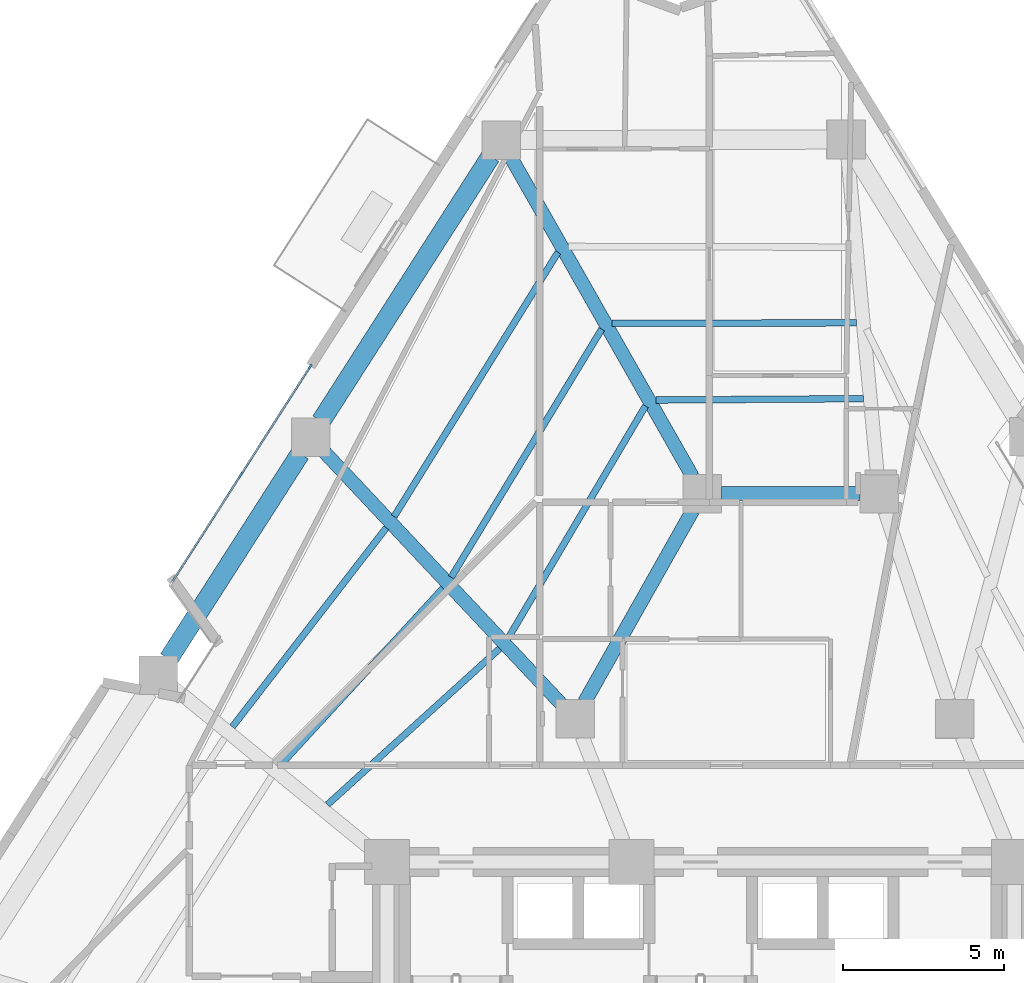
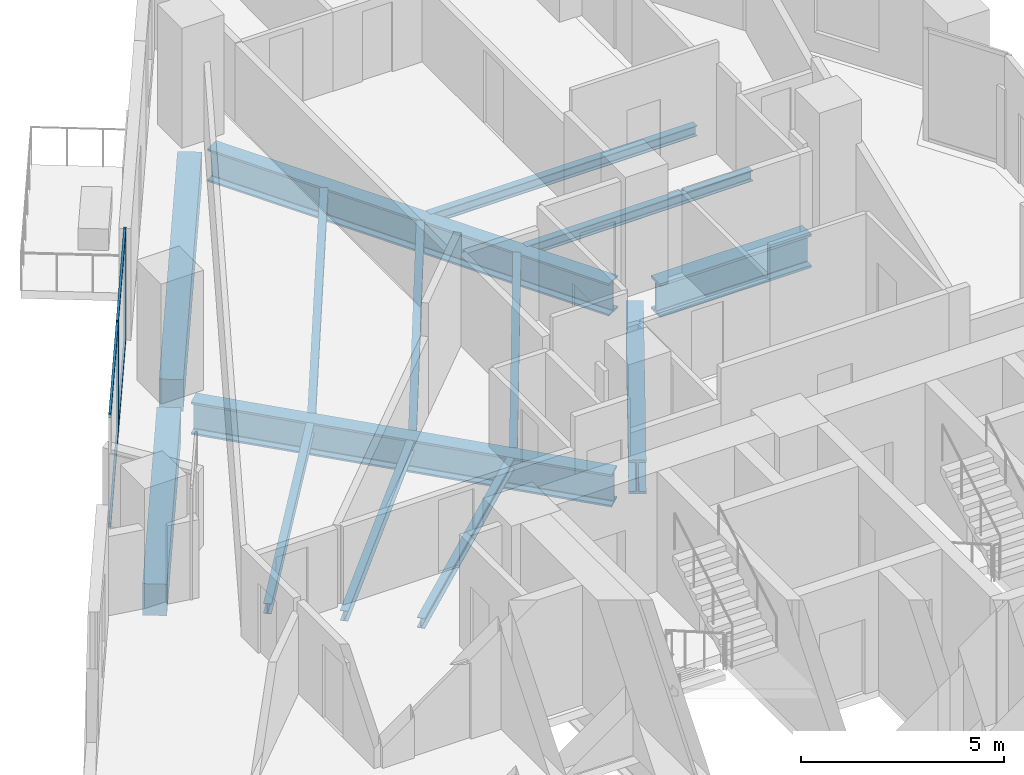
# One storey, part 3 of 13: 14 beams, 6 members, 1 element without a shape of its own.
"""IFC4 building model written with IfcOpenShell, lengths in metres."""

import ifcopenshell
import ifcopenshell.guid

model = None  # the IFC model being written
_history = None  # IfcOwnerHistory: only IFC2X3 demands one
_inside = {}  # id of a spatial element -> (the spatial element, [elements in it])
_under = {}  # id of a project, library or spatial element -> (it, [spatial elements below it])
_declared = {}  # id of a project -> (the project, [libraries it declares])
_typed = {}  # id of a type object -> (the type object, [elements of that type])
_made_of = {}  # id of a material, layer set ... -> (it, [elements and type objects made of it])


def new_model(schema):
    """Start an empty IFC model of exactly this schema.

    Asked for "IFC4X3", IfcOpenShell would pick the latest addendum, in which some entities
    have other attributes; the version numbers below select the first issue.
    IFC2X3 requires an IfcOwnerHistory on every rooted entity: one is made here for all.
    """
    global model, _history
    if schema == "IFC4X3":
        model = ifcopenshell.file(schema_version=(4, 3, 0, 0))
    else:
        model = ifcopenshell.file(schema=schema)
    _inside.clear()
    _under.clear()
    _declared.clear()
    _typed.clear()
    _made_of.clear()
    _history = None
    if model.schema == "IFC2X3":
        org = make("IfcOrganization", Name="unknown")
        user = make(
            "IfcPersonAndOrganization",
            ThePerson=make("IfcPerson", FamilyName="unknown"),
            TheOrganization=org,
        )
        app = make(
            "IfcApplication",
            ApplicationDeveloper=org,
            Version="unknown",
            ApplicationFullName="unknown",
            ApplicationIdentifier="unknown",
        )
        _history = make(
            "IfcOwnerHistory",
            OwningUser=user,
            OwningApplication=app,
            ChangeAction="ADDED",
            CreationDate=0,
        )
    return model


def make(cls, **values):
    """One entity of the class cls with the attributes given. An attribute that is None is left unset."""
    return model.create_entity(
        cls, **{name: value for name, value in values.items() if value is not None}
    )


def rooted(cls, **values):
    """An entity with a GlobalId (a new one), such as an element, a storey or a relation."""
    return make(cls, GlobalId=ifcopenshell.guid.new(), OwnerHistory=_history, **values)


def si_unit(unit_type, name, prefix=None):
    """IfcSIUnit, for example si_unit("LENGTHUNIT", "METRE", prefix="MILLI")."""
    return make("IfcSIUnit", UnitType=unit_type, Prefix=prefix, Name=name)


def assignment(units):
    """IfcUnitAssignment: the units of a project."""
    return None if units is None else make("IfcUnitAssignment", Units=units)


def point(xyz):
    """IfcCartesianPoint."""
    return None if xyz is None else make("IfcCartesianPoint", Coordinates=xyz)


def direction(xyz):
    """IfcDirection."""
    return None if xyz is None else make("IfcDirection", DirectionRatios=xyz)


def frame(location, z_axis=None, x_axis=None):
    """IfcAxis2Placement3D, a coordinate frame: its origin and axes. An axis left out is left unset."""
    return make(
        "IfcAxis2Placement3D",
        Location=point(location),
        Axis=direction(z_axis),
        RefDirection=direction(x_axis),
    )


def frame_2d(location, x_axis=None):
    """IfcAxis2Placement2D, a coordinate frame in the plane: its origin and x axis."""
    return make(
        "IfcAxis2Placement2D", Location=point(location), RefDirection=direction(x_axis)
    )


def origin():
    """The frame at (0, 0, 0) with its axes left unset."""
    return frame((0.0, 0.0, 0.0))


def origin_2d():
    """The frame at (0, 0) in the plane with its x axis left unset."""
    return frame_2d((0.0, 0.0))


def place(relative_to, where):
    """IfcLocalPlacement: puts the frame where relative to a parent placement (None: the world)."""
    return make(
        "IfcLocalPlacement", PlacementRelTo=relative_to, RelativePlacement=where
    )


def context(
    kind, dimensions, precision=None, world=None, true_north=None, identifier=None
):
    """IfcGeometricRepresentationContext, for example the 3D "Model" context."""
    return make(
        "IfcGeometricRepresentationContext",
        ContextIdentifier=identifier,
        ContextType=kind,
        CoordinateSpaceDimension=dimensions,
        Precision=precision,
        WorldCoordinateSystem=world,
        TrueNorth=true_north,
    )


def subcontext(parent, identifier, kind, view, scale=None):
    """IfcGeometricRepresentationSubContext, for example "Body" below "Model"."""
    return make(
        "IfcGeometricRepresentationSubContext",
        ContextIdentifier=identifier,
        ContextType=kind,
        ParentContext=parent,
        TargetScale=scale,
        TargetView=view,
    )


def project(units=None, contexts=None):
    """IfcProject with its units and contexts."""
    return rooted(
        "IfcProject",
        Name="project",
        RepresentationContexts=contexts,
        UnitsInContext=assignment(units),
    )


def spatial(cls, under=None, at=None, **own):
    """A site, building, storey or space (cls), placed at a placement, below another one or the project."""
    s = rooted(cls, ObjectPlacement=at, **own)
    if under is not None:
        _under.setdefault(under.id(), (under, []))[1].append(s)
    return s


def profile(cls, at=None, kind="AREA", **sizes):
    """A parametric profile (cls). Its sizes go by their IFC names, for example OverallWidth=200.0."""
    return make(cls, ProfileType=kind, Position=at, **sizes)


def rectangle(**sizes):
    """IfcRectangleProfileDef."""
    return profile("IfcRectangleProfileDef", **sizes)


def i_section(**sizes):
    """IfcIShapeProfileDef."""
    return profile("IfcIShapeProfileDef", **sizes)


def extrude(swept, where, along, depth):
    """IfcExtrudedAreaSolid: the profile swept, set in the frame where, extruded along a direction by depth."""
    return make(
        "IfcExtrudedAreaSolid",
        SweptArea=swept,
        Position=where,
        ExtrudedDirection=direction(along),
        Depth=depth,
    )


def shape(context_of_items, identifier, shape_type, items):
    """IfcShapeRepresentation: the items that make up one representation, for example the "Body"."""
    return make(
        "IfcShapeRepresentation",
        ContextOfItems=context_of_items,
        RepresentationIdentifier=identifier,
        RepresentationType=shape_type,
        Items=items,
    )


def material(Name=None, Category=None):
    """IfcMaterial."""
    return make("IfcMaterial", Name=Name, Category=Category)


def layer(
    of_material, thickness, ventilated=None, Name=None, Category=None, Priority=None
):
    """IfcMaterialLayer: one layer of a wall or slab, of a material (None: an air gap)."""
    return make(
        "IfcMaterialLayer",
        Material=of_material,
        LayerThickness=thickness,
        IsVentilated=ventilated,
        Name=Name,
        Category=Category,
        Priority=Priority,
    )


def layer_set(layers, Name=None):
    """IfcMaterialLayerSet."""
    return make("IfcMaterialLayerSet", MaterialLayers=layers, LayerSetName=Name)


def material_profile(
    of_material, cross_section, Name=None, Category=None, Priority=None
):
    """IfcMaterialProfile: a cross section and its material."""
    return make(
        "IfcMaterialProfile",
        Name=Name,
        Material=of_material,
        Profile=cross_section,
        Priority=Priority,
        Category=Category,
    )


def profile_set(profiles, Name=None, composite=None):
    """IfcMaterialProfileSet."""
    return make(
        "IfcMaterialProfileSet",
        Name=Name,
        MaterialProfiles=profiles,
        CompositeProfile=composite,
    )


def made_of(thing, what):
    """Note that an element or type object is made of a material, layer set ...; save() writes the relation."""
    if what is not None:
        _made_of.setdefault(what.id(), (what, []))[1].append(thing)
    return thing


def type_object(cls, material=None, **own):
    """A type object (cls), such as IfcWallType, which elements share."""
    return made_of(rooted(cls, **own), material)


def element(
    cls,
    number,
    at=None,
    inside=None,
    cuts=None,
    type_object=None,
    material=None,
    context=None,
    identifier="Body",
    shape_type=None,
    held_by="IfcProductDefinitionShape",
    body=None,
    shapes=None,
    **own,
):
    """One element of the class cls, such as IfcWall. Its Tag is "e" and its number.

    at: its placement. inside: the storey or other place that contains it. cuts: it is an
    opening in that element (IfcRelVoidsElement). A single representation is given by context,
    identifier, shape_type and body (its items); several are given by shapes. held_by: the class
    of the entity that holds the representations. save() writes the other relations.
    """
    e = rooted(cls, Tag="e%d" % number, ObjectPlacement=at, **own)
    if body is not None:
        shapes = [shape(context, identifier, shape_type, body)]
    if shapes is not None:
        e.Representation = make(held_by, Representations=shapes)
    if inside is not None:
        _inside.setdefault(inside.id(), (inside, []))[1].append(e)
    if cuts is not None:
        rooted(
            "IfcRelVoidsElement", RelatingBuildingElement=cuts, RelatedOpeningElement=e
        )
    if type_object is not None:
        _typed.setdefault(type_object.id(), (type_object, []))[1].append(e)
    return made_of(e, material)


def aggregate(whole, parts):
    """IfcRelAggregates: a whole, such as a stair, and the parts it consists of."""
    return rooted("IfcRelAggregates", RelatingObject=whole, RelatedObjects=parts)


def save(model, path):
    """Write the relations noted so far, then the file.

    IfcRelAggregates (storeys below a building ...), IfcRelContainedInSpatialStructure (elements
    in a storey), IfcRelDefinesByType, IfcRelAssociatesMaterial and IfcRelDeclares: one each for
    every whole, place, type object, material and project.
    """
    for whole, parts in _under.values():
        aggregate(whole, parts)
    for where, things in _inside.values():
        rooted(
            "IfcRelContainedInSpatialStructure",
            RelatedElements=things,
            RelatingStructure=where,
        )
    for kind, things in _typed.values():
        rooted("IfcRelDefinesByType", RelatedObjects=things, RelatingType=kind)
    for what, things in _made_of.values():
        rooted("IfcRelAssociatesMaterial", RelatedObjects=things, RelatingMaterial=what)
    for by, libraries in _declared.values():
        rooted("IfcRelDeclares", RelatingContext=by, RelatedDefinitions=libraries)
    model.write(path)


model = new_model("IFC4")

# Units and contexts
model_context = context("Model", 3, precision=1e-05, world=origin(), true_north=direction((0.0, 1.0)))
body_context = subcontext(model_context, "Body", "Model", "MODEL_VIEW")
ifc_project = project(units=[si_unit("LENGTHUNIT", "METRE"), si_unit("AREAUNIT", "SQUARE_METRE"), si_unit("VOLUMEUNIT", "CUBIC_METRE"), si_unit("PLANEANGLEUNIT", "RADIAN"), si_unit("MASSUNIT", "GRAM", prefix="KILO")], contexts=[model_context])

# Site, building, storey
site_placement = place(None, origin())
site = spatial("IfcSite", under=ifc_project, at=site_placement, CompositionType="ELEMENT")
building_placement = place(site_placement, origin())
building = spatial("IfcBuilding", under=site, at=building_placement, Name="Almagre Mirador Tower", CompositionType="ELEMENT")
storey_placement = place(building_placement, frame((0.0, 0.0, 82.199951171875)))
storey = spatial("IfcBuildingStorey", under=building, at=storey_placement, Name="L20", CompositionType="ELEMENT", Elevation=82.199951171875)

# Beams
ifc_material_1 = material(Name="Steel ASTM A992 Grade 50", Category="steel")
ifc_material_profile_1 = material_profile(ifc_material_1, i_section(OverallWidth=0.205078125, OverallDepth=0.31005859375, WebThickness=0.009521484375, FlangeThickness=0.016357421875, FilletRadius=0.013916015625, at=origin_2d()), Name="W12X50")
ifc_profile_set_1 = profile_set([ifc_material_profile_1], Name="Steel ASTM A992 Grade 50")
beam_type_1 = type_object("IfcBeamType", Name="BM-JST-W12X50", PredefinedType="JOIST", material=ifc_profile_set_1)
beam_1_placement = place(storey_placement, frame((42.142333984375, 31.50732421875, -0.405029296875), z_axis=(-0.999998857543, -0.001511592523, 0.0), x_axis=(0.001511592523, -0.999998857543, 0.0)))
element("IfcBeam", 1, at=beam_1_placement, inside=storey, type_object=beam_type_1, Name="L20 secondary floor joist PC08-PC09.2", PredefinedType="JOIST", context=body_context, shape_type="SweptSolid", body=[
    extrude(i_section(OverallWidth=0.205078125, OverallDepth=0.31005859375, WebThickness=0.009521484375, FlangeThickness=0.016357421875, FilletRadius=0.013916015625, at=origin_2d()), origin(), (0.0, 0.0, 1.0), 7.591064453125),
])
beam_2_placement = place(storey_placement, frame((42.361328125, 29.151123046875, -0.405029296875), z_axis=(-0.999979554323, -0.006394602114, 0.0), x_axis=(0.006394602114, -0.999979554323, 0.0)))
element("IfcBeam", 2, at=beam_2_placement, inside=storey, type_object=beam_type_1, Name="L20 secondary floor joist PC08-PC09.3", PredefinedType="JOIST", context=body_context, shape_type="SweptSolid", body=[
    extrude(i_section(OverallWidth=0.205078125, OverallDepth=0.31005859375, WebThickness=0.009521484375, FlangeThickness=0.016357421875, FilletRadius=0.013916015625, at=origin_2d()), origin(), (0.0, 0.0, 1.0), 6.452392578125),
])
beam_3_placement = place(storey_placement, frame((32.8662109375, 33.70068359375, -0.405029296875), z_axis=(-0.527025078824, -0.849849731594, 0.0), x_axis=(0.849849731594, -0.527025078824, 0.0)))
element("IfcBeam", 3, at=beam_3_placement, inside=storey, type_object=beam_type_1, Name="L20 secondary floor joist PC09-PC10.1", PredefinedType="JOIST", context=body_context, shape_type="SweptSolid", body=[
    extrude(i_section(OverallWidth=0.205078125, OverallDepth=0.31005859375, WebThickness=0.009521484375, FlangeThickness=0.016357421875, FilletRadius=0.013916015625, at=origin_2d()), origin(), (0.0, 0.0, 1.0), 9.662841796875),
])
beam_4_placement = place(storey_placement, frame((34.226318359375, 31.3125, -0.405029296875), z_axis=(-0.51862919068, -0.854999276359, 0.0), x_axis=(0.854999276359, -0.51862919068, 0.0)))
element("IfcBeam", 4, at=beam_4_placement, inside=storey, type_object=beam_type_1, Name="L20 secondary floor joist PC09-PC10.2", PredefinedType="JOIST", context=body_context, shape_type="SweptSolid", body=[
    extrude(i_section(OverallWidth=0.205078125, OverallDepth=0.31005859375, WebThickness=0.009521484375, FlangeThickness=0.016357421875, FilletRadius=0.013916015625, at=origin_2d()), origin(), (0.0, 0.0, 1.0), 9.020263671875),
])
beam_5_placement = place(storey_placement, frame((35.586181640625, 28.92431640625, -0.405029296875), z_axis=(-0.508893233188, -0.860829644712, 0.0), x_axis=(0.860829644712, -0.508893233188, 0.0)))
element("IfcBeam", 5, at=beam_5_placement, inside=storey, type_object=beam_type_1, Name="L20 secondary floor joist PC09-PC10.3", PredefinedType="JOIST", context=body_context, shape_type="SweptSolid", body=[
    extrude(i_section(OverallWidth=0.205078125, OverallDepth=0.31005859375, WebThickness=0.009521484375, FlangeThickness=0.016357421875, FilletRadius=0.013916015625, at=origin_2d()), origin(), (0.0, 0.0, 1.0), 8.37939453125),
])
beam_6_placement = place(storey_placement, frame((27.530029296875, 25.1376953125, -0.405029296875), z_axis=(-0.611727324998, -0.791068694773, 0.0), x_axis=(0.791068694773, -0.611727324998, 0.0)))
element("IfcBeam", 6, at=beam_6_placement, inside=storey, type_object=beam_type_1, Name="L20 secondary floor joist PC10-PC11.1", PredefinedType="JOIST", context=body_context, shape_type="SweptSolid", body=[
    extrude(i_section(OverallWidth=0.205078125, OverallDepth=0.31005859375, WebThickness=0.009521484375, FlangeThickness=0.016357421875, FilletRadius=0.013916015625, at=origin_2d()), origin(), (0.0, 0.0, 1.0), 7.82080078125),
])
beam_7_placement = place(storey_placement, frame((29.292236328125, 23.259521484375, -0.405029296875), z_axis=(-0.676538846578, -0.73640694529, 0.0), x_axis=(0.73640694529, -0.676538846578, 0.0)))
element("IfcBeam", 7, at=beam_7_placement, inside=storey, type_object=beam_type_1, Name="L20 secondary floor joist PC10-PC11.2", PredefinedType="JOIST", context=body_context, shape_type="SweptSolid", body=[
    extrude(i_section(OverallWidth=0.205078125, OverallDepth=0.31005859375, WebThickness=0.009521484375, FlangeThickness=0.016357421875, FilletRadius=0.013916015625, at=origin_2d()), origin(), (0.0, 0.0, 1.0), 7.4912109375),
])
beam_8_placement = place(storey_placement, frame((31.054443359375, 21.38330078125, -0.405029296875), z_axis=(-0.7409990396, -0.671506085834, 0.0), x_axis=(0.671506085834, -0.7409990396, 0.0)))
element("IfcBeam", 8, at=beam_8_placement, inside=storey, type_object=beam_type_1, Name="L20 secondary floor joist PC10-PC11.3", PredefinedType="JOIST", context=body_context, shape_type="SweptSolid", body=[
    extrude(i_section(OverallWidth=0.205078125, OverallDepth=0.31005859375, WebThickness=0.009521484375, FlangeThickness=0.016357421875, FilletRadius=0.013916015625, at=origin_2d()), origin(), (0.0, 0.0, 1.0), 7.22314453125),
])
ifc_material_2 = material(Name="Precast concrete C50/60", Category="concrete")
ifc_material_profile_2 = material_profile(ifc_material_2, rectangle(XDim=0.60009765625, YDim=0.949951171875, at=origin_2d()), Name="RC600X950")
ifc_profile_set_2 = profile_set([ifc_material_profile_2], Name="Precast concrete C50/60")
beam_type_2 = type_object("IfcBeamType", Name="BM-SPN-RC600X950", PredefinedType="SPANDREL", material=ifc_profile_set_2)
beam_9_placement = place(storey_placement, frame((30.7744140625, 36.683837890625, -0.724853515625), z_axis=(-0.539465454843, -0.842007733356, 0.0), x_axis=(0.842007733356, -0.539465454843, 0.0)))
element("IfcBeam", 9, at=beam_9_placement, inside=storey, type_object=beam_type_2, Name="L20 perimeter spandrel beam PC09-PC10", PredefinedType="SPANDREL", context=body_context, shape_type="SweptSolid", body=[
    extrude(rectangle(XDim=0.60009765625, YDim=0.949951171875, at=origin_2d()), origin(), (0.0, 0.0, 1.0), 9.77392578125),
])
beam_10_placement = place(storey_placement, frame((24.854248046875, 27.44384765625, -0.724853515625), z_axis=(-0.539465888447, -0.84200745555, 0.0), x_axis=(0.84200745555, -0.539465888447, 0.0)))
element("IfcBeam", 10, at=beam_10_placement, inside=storey, type_object=beam_type_2, Name="L20 perimeter spandrel beam PC10-PC11", PredefinedType="SPANDREL", context=body_context, shape_type="SweptSolid", body=[
    extrude(rectangle(XDim=0.60009765625, YDim=0.949951171875, at=origin_2d()), origin(), (0.0, 0.0, 1.0), 7.5791015625),
])
ifc_material_3 = material(Name="Steel ASTM A992 Grade 50", Category="steel")
ifc_material_profile_3 = material_profile(ifc_material_3, i_section(OverallWidth=0.427978515625, OverallDepth=0.97509765625, WebThickness=0.031005859375, FlangeThickness=0.055908203125, FilletRadius=0.028076171875, at=origin_2d()), Name="W36X395")
ifc_profile_set_3 = profile_set([ifc_material_profile_3], Name="Steel ASTM A992 Grade 50")
beam_type_3 = type_object("IfcBeamType", Name="BM-STL-W36X395", PredefinedType="BEAM", material=ifc_profile_set_3)
beam_11_placement = place(storey_placement, frame((31.394775390625, 36.66748046875, -0.737548828125), z_axis=(0.494490623946, -0.869182962805, 0.0), x_axis=(0.869182962805, 0.494490623946, 0.0)))
element("IfcBeam", 11, at=beam_11_placement, inside=storey, type_object=beam_type_3, Name="L20 radial floor girder PC09-MC7", PredefinedType="BEAM", context=body_context, shape_type="SweptSolid", body=[
    extrude(i_section(OverallWidth=0.427978515625, OverallDepth=0.97509765625, WebThickness=0.031005859375, FlangeThickness=0.055908203125, FilletRadius=0.028076171875, at=origin_2d()), origin(), (0.0, 0.0, 1.0), 11.44287109375),
])
beam_12_placement = place(storey_placement, frame((25.5888671875, 27.51171875, -0.737548828125), z_axis=(0.684816925133, -0.728715156321, 0.0), x_axis=(0.728715156321, 0.684816925133, 0.0)))
element("IfcBeam", 12, at=beam_12_placement, inside=storey, type_object=beam_type_3, Name="L20 radial floor girder PC10-MC8", PredefinedType="BEAM", context=body_context, shape_type="SweptSolid", body=[
    extrude(i_section(OverallWidth=0.427978515625, OverallDepth=0.97509765625, WebThickness=0.031005859375, FlangeThickness=0.055908203125, FilletRadius=0.028076171875, at=origin_2d()), origin(), (0.0, 0.0, 1.0), 10.805908203125),
])
ifc_material_4 = material(Name="Steel ASTM A992 Grade 50", Category="steel")
ifc_material_profile_4 = material_profile(ifc_material_4, i_section(OverallWidth=0.43701171875, OverallDepth=1.010986328125, WebThickness=0.041015625, FlangeThickness=0.073974609375, FilletRadius=0.028076171875, at=origin_2d()), Name="W36X529")
ifc_profile_set_4 = profile_set([ifc_material_profile_4], Name="Steel ASTM A992 Grade 50")
beam_type_4 = type_object("IfcBeamType", Name="BM-STL-W36X529", PredefinedType="BEAM", material=ifc_profile_set_4)
beam_13_placement = place(storey_placement, frame((37.949951171875, 26.199951171875, -0.75537109375), z_axis=(1.0, 0.0, 0.0), x_axis=(0.0, 1.0, 0.0)))
element("IfcBeam", 13, at=beam_13_placement, inside=storey, type_object=beam_type_4, Name="L20 core tie girder MC7-MC6", PredefinedType="BEAM", context=body_context, shape_type="SweptSolid", body=[
    extrude(i_section(OverallWidth=0.43701171875, OverallDepth=1.010986328125, WebThickness=0.041015625, FlangeThickness=0.073974609375, FilletRadius=0.028076171875, at=origin_2d()), origin(), (0.0, 0.0, 1.0), 4.300048828125),
])
beam_14_placement = place(storey_placement, frame((37.05517578125, 25.677490234375, -0.75537109375), z_axis=(-0.491440637516, -0.870911074564, 0.0), x_axis=(0.870911074564, -0.491440637516, 0.0)))
element("IfcBeam", 14, at=beam_14_placement, inside=storey, type_object=beam_type_4, Name="L20 core tie girder MC7-MC8", PredefinedType="BEAM", context=body_context, shape_type="SweptSolid", body=[
    extrude(i_section(OverallWidth=0.43701171875, OverallDepth=1.010986328125, WebThickness=0.041015625, FlangeThickness=0.073974609375, FilletRadius=0.028076171875, at=origin_2d()), origin(), (0.0, 0.0, 1.0), 6.837646484375),
])

# Curtain wall, members
ifc_material_5 = material(Name="Black anodized aluminium", Category="aluminium")
ifc_layer = layer(ifc_material_5, 0.18994140625)
ifc_layer_set = layer_set([ifc_layer], Name="Black anodized aluminium")
curtain_wall_type = type_object("IfcCurtainWallType", Name="CW-RES-L-SYS", PredefinedType="NOTDEFINED", material=ifc_layer_set)
curtain_wall_placement = place(storey_placement, origin())
curtain_wall = element("IfcCurtainWall", 15, at=curtain_wall_placement, inside=storey, type_object=curtain_wall_type, Name="L20 curtain wall run 02", PredefinedType="NOTDEFINED")
ifc_material_6 = material(Name="Black anodized aluminium", Category="aluminium")
ifc_material_profile_5 = material_profile(ifc_material_6, rectangle(XDim=0.06494140625, YDim=0.179931640625, at=origin_2d()), Name="CWM65X180")
ifc_profile_set_5 = profile_set([ifc_material_profile_5], Name="Black anodized aluminium")
member_type_1 = type_object("IfcMemberType", Name="MBR-CWM65X180", PredefinedType="MULLION", material=ifc_profile_set_5)
member_1_placement = place(storey_placement, frame((23.00390625, 26.7783203125, 0.0), z_axis=(0.0, 0.0, 1.0), x_axis=(-0.8420145831, 0.539454763486, 0.0)))
member_1 = element("IfcMember", 16, at=member_1_placement, type_object=member_type_1, Name="CW-2 mullion 2", PredefinedType="MULLION", context=body_context, shape_type="SweptSolid", body=[
    extrude(rectangle(XDim=0.06494140625, YDim=0.179931640625, at=origin_2d()), origin(), (0.0, 0.0, 1.0), 3.35009765625),
])
member_2_placement = place(storey_placement, frame((25.15966796875, 30.143310546875, 0.0), z_axis=(0.0, 0.0, 1.0), x_axis=(-0.8420145831, 0.539454763486, 0.0)))
member_2 = element("IfcMember", 17, at=member_2_placement, type_object=member_type_1, Name="CW-2 mullion 3", PredefinedType="MULLION", context=body_context, shape_type="SweptSolid", body=[
    extrude(rectangle(XDim=0.06494140625, YDim=0.179931640625, at=origin_2d()), origin(), (0.0, 0.0, 1.0), 3.35009765625),
])
ifc_material_7 = material(Name="Black anodized aluminium", Category="aluminium")
ifc_material_profile_6 = material_profile(ifc_material_7, rectangle(XDim=0.06005859375, YDim=0.1298828125, at=origin_2d()), Name="CWT60X130")
ifc_profile_set_6 = profile_set([ifc_material_profile_6], Name="Black anodized aluminium")
member_type_2 = type_object("IfcMemberType", Name="MBR-CWT60X130", PredefinedType="USERDEFINED", material=ifc_profile_set_6)
member_3_placement = place(storey_placement, frame((20.865478515625, 23.44091796875, 0.030029296875), z_axis=(0.539488909489, 0.841992705751, 0.0), x_axis=(-0.841992705751, 0.539488909489, 0.0)))
member_3 = element("IfcMember", 18, at=member_3_placement, type_object=member_type_2, Name="CW-2 transom 1.1", ObjectType="TRANSOM", PredefinedType="USERDEFINED", context=body_context, shape_type="SweptSolid", body=[
    extrude(rectangle(XDim=0.06005859375, YDim=0.1298828125, at=origin_2d()), origin(), (0.0, 0.0, 1.0), 3.93115234375),
])
member_4_placement = place(storey_placement, frame((20.865478515625, 23.44091796875, 3.320068359375), z_axis=(0.539488909489, 0.841992705751, 0.0), x_axis=(-0.841992705751, 0.539488909489, 0.0)))
member_4 = element("IfcMember", 19, at=member_4_placement, type_object=member_type_2, Name="CW-2 transom 1.2", ObjectType="TRANSOM", PredefinedType="USERDEFINED", context=body_context, shape_type="SweptSolid", body=[
    extrude(rectangle(XDim=0.06005859375, YDim=0.1298828125, at=origin_2d()), origin(), (0.0, 0.0, 1.0), 3.93115234375),
])
member_5_placement = place(storey_placement, frame((23.021484375, 26.8056640625, 0.030029296875), z_axis=(0.539416670791, 0.842038986789, 0.0), x_axis=(-0.842038986789, 0.539416670791, 0.0)))
member_5 = element("IfcMember", 20, at=member_5_placement, type_object=member_type_2, Name="CW-2 transom 2.1", ObjectType="TRANSOM", PredefinedType="USERDEFINED", context=body_context, shape_type="SweptSolid", body=[
    extrude(rectangle(XDim=0.06005859375, YDim=0.1298828125, at=origin_2d()), origin(), (0.0, 0.0, 1.0), 3.931396484375),
])
member_6_placement = place(storey_placement, frame((23.021484375, 26.8056640625, 3.320068359375), z_axis=(0.539416670791, 0.842038986789, 0.0), x_axis=(-0.842038986789, 0.539416670791, 0.0)))
member_6 = element("IfcMember", 21, at=member_6_placement, type_object=member_type_2, Name="CW-2 transom 2.2", ObjectType="TRANSOM", PredefinedType="USERDEFINED", context=body_context, shape_type="SweptSolid", body=[
    extrude(rectangle(XDim=0.06005859375, YDim=0.1298828125, at=origin_2d()), origin(), (0.0, 0.0, 1.0), 3.931396484375),
])
aggregate(curtain_wall, [member_1, member_2, member_3, member_4, member_5, member_6])

save(model, "model.ifc")
